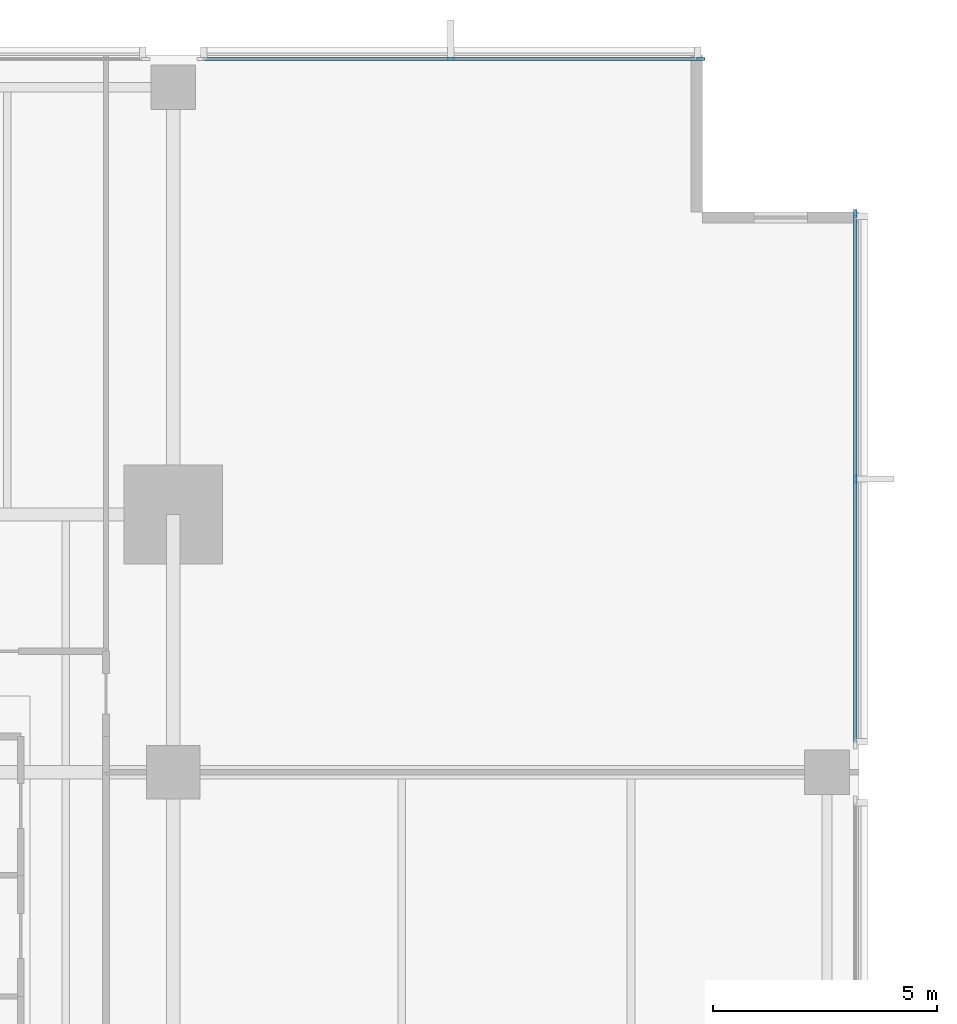
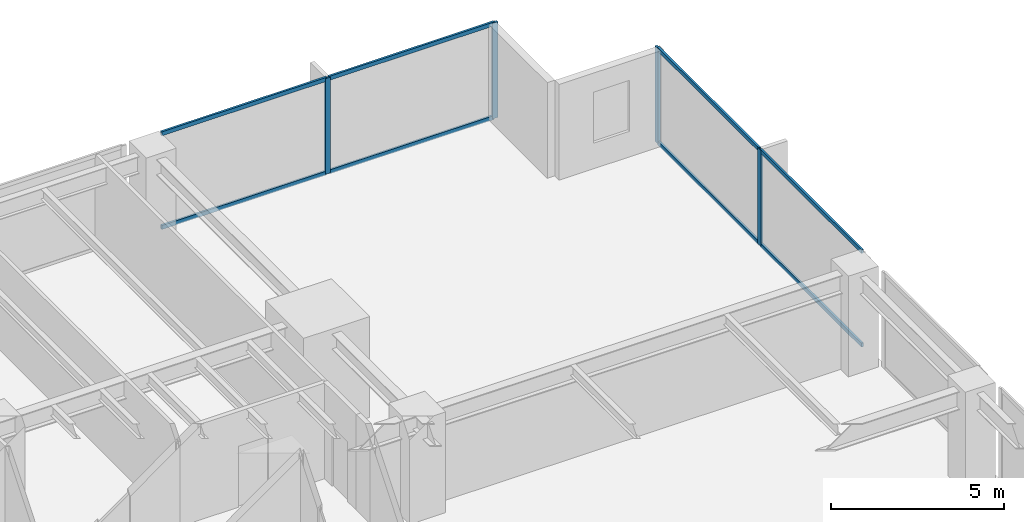
# One storey, part 6 of 15: 12 members, 2 elements without a shape of their own.
"""IFC4 building model written with IfcOpenShell, lengths in metres."""

from ifc_helpers import new_model, si_unit, direction, frame, origin, origin_2d, place, context, subcontext, project, spatial, rectangle, extrude, material, layer, layer_set, material_profile, profile_set, type_object, element, aggregate, save


model = new_model("IFC4")

# Units and contexts
model_context = context("Model", 3, precision=1e-05, world=origin(), true_north=direction((0.0, 1.0)))
body_context = subcontext(model_context, "Body", "Model", "MODEL_VIEW")
ifc_project = project(units=[si_unit("LENGTHUNIT", "METRE"), si_unit("AREAUNIT", "SQUARE_METRE"), si_unit("VOLUMEUNIT", "CUBIC_METRE"), si_unit("PLANEANGLEUNIT", "RADIAN"), si_unit("MASSUNIT", "GRAM", prefix="KILO")], contexts=[model_context])

# Site, building, storey
site_placement = place(None, origin())
site = spatial("IfcSite", under=ifc_project, at=site_placement, CompositionType="ELEMENT")
building_placement = place(site_placement, origin())
building = spatial("IfcBuilding", under=site, at=building_placement, Name="Kinhvarn Gate Tower", CompositionType="ELEMENT")
storey_placement = place(building_placement, frame((0.0, 0.0, 68.199951171875)))
storey = spatial("IfcBuildingStorey", under=building, at=storey_placement, Name="L17", CompositionType="ELEMENT", Elevation=68.199951171875)

# Curtain wall, members
ifc_material = material(Name="Anodised aluminium AW-6063", Category="aluminium")
ifc_layer = layer(ifc_material, 0.179931640625)
ifc_layer_set = layer_set([ifc_layer], Name="Anodised aluminium AW-6063")
curtain_wall_type = type_object("IfcCurtainWallType", Name="CW-SYS-2", PredefinedType="NOTDEFINED", material=ifc_layer_set)
curtain_wall_1_placement = place(storey_placement, origin())
curtain_wall_1 = element("IfcCurtainWall", 1, at=curtain_wall_1_placement, inside=storey, type_object=curtain_wall_type, Name="Curtain Wall CW2 (L17)", PredefinedType="NOTDEFINED")
ifc_material_profile_1 = material_profile(ifc_material, rectangle(XDim=0.070068359375, YDim=0.179931640625, at=origin_2d()), Name="ALU 70x180")
ifc_profile_set_1 = profile_set([ifc_material_profile_1], Name="Anodised aluminium AW-6063")
member_type_1 = type_object("IfcMemberType", Name="CW-MUL-180", PredefinedType="MULLION", material=ifc_profile_set_1)
member_1_placement = place(storey_placement, frame((49.965087890625, 47.909912109375, 0.0), z_axis=(0.0, 0.0, 1.0), x_axis=(0.0, -1.0, 0.0)))
member_1 = element("IfcMember", 2, at=member_1_placement, type_object=member_type_1, Name="CW2 mullion 1", PredefinedType="MULLION", context=body_context, shape_type="SweptSolid", body=[
    extrude(rectangle(XDim=0.070068359375, YDim=0.179931640625, at=origin_2d()), origin(), (0.0, 0.0, 1.0), 3.3701171875),
])
member_2_placement = place(storey_placement, frame((44.389892578125, 47.909912109375, 0.0), z_axis=(0.0, 0.0, 1.0), x_axis=(0.0, -1.0, 0.0)))
member_2 = element("IfcMember", 3, at=member_2_placement, type_object=member_type_1, Name="CW2 mullion 2", PredefinedType="MULLION", context=body_context, shape_type="SweptSolid", body=[
    extrude(rectangle(XDim=0.070068359375, YDim=0.179931640625, at=origin_2d()), origin(), (0.0, 0.0, 1.0), 3.3701171875),
])

curtain_wall_2_placement = place(storey_placement, origin())
curtain_wall_2 = element("IfcCurtainWall", 4, at=curtain_wall_2_placement, inside=storey, type_object=curtain_wall_type, Name="Curtain Wall CW2 (L17)", PredefinedType="NOTDEFINED")
member_3_placement = place(storey_placement, frame((53.409912109375, 38.5400390625, 0.0), z_axis=(0.0, 0.0, 1.0), x_axis=(-1.0, 0.0, 0.0)))
member_3 = element("IfcMember", 5, at=member_3_placement, type_object=member_type_1, Name="CW2 mullion 2", PredefinedType="MULLION", context=body_context, shape_type="SweptSolid", body=[
    extrude(rectangle(XDim=0.070068359375, YDim=0.179931640625, at=origin_2d()), origin(), (0.0, 0.0, 1.0), 3.3701171875),
])
member_4_placement = place(storey_placement, frame((53.409912109375, 44.465087890625, 0.0), z_axis=(0.0, 0.0, 1.0), x_axis=(-1.0, 0.0, 0.0)))
member_4 = element("IfcMember", 6, at=member_4_placement, type_object=member_type_1, Name="CW2 mullion 3", PredefinedType="MULLION", context=body_context, shape_type="SweptSolid", body=[
    extrude(rectangle(XDim=0.070068359375, YDim=0.179931640625, at=origin_2d()), origin(), (0.0, 0.0, 1.0), 3.3701171875),
])

# Member
ifc_material_profile_2 = material_profile(ifc_material, rectangle(XDim=0.070068359375, YDim=0.139892578125, at=origin_2d()), Name="ALU 70x140")
ifc_profile_set_2 = profile_set([ifc_material_profile_2], Name="Anodised aluminium AW-6063")
member_type_2 = type_object("IfcMemberType", Name="CW-TRN-140", PredefinedType="USERDEFINED", material=ifc_profile_set_2)
member_5_placement = place(storey_placement, frame((49.929931640625, 47.909912109375, 0.03515625), z_axis=(-1.0, 0.0, 0.0), x_axis=(0.0, -1.0, 0.0)))
member_5 = element("IfcMember", 7, at=member_5_placement, type_object=member_type_2, Name="CW2 transom 1.1", ObjectType="TRANSOM", PredefinedType="USERDEFINED", context=body_context, shape_type="SweptSolid", body=[
    extrude(rectangle(XDim=0.070068359375, YDim=0.139892578125, at=origin_2d()), origin(), (0.0, 0.0, 1.0), 5.5048828125),
])

member_6_placement = place(storey_placement, frame((49.929931640625, 47.909912109375, 3.3349609375), z_axis=(-1.0, 0.0, 0.0), x_axis=(0.0, -1.0, 0.0)))
member_6 = element("IfcMember", 8, at=member_6_placement, type_object=member_type_2, Name="CW2 transom 1.2", ObjectType="TRANSOM", PredefinedType="USERDEFINED", context=body_context, shape_type="SweptSolid", body=[
    extrude(rectangle(XDim=0.070068359375, YDim=0.139892578125, at=origin_2d()), origin(), (0.0, 0.0, 1.0), 5.5048828125),
])

member_7_placement = place(storey_placement, frame((44.35498046875, 47.909912109375, 0.03515625), z_axis=(-1.0, 0.0, 0.0), x_axis=(0.0, -1.0, 0.0)))
member_7 = element("IfcMember", 9, at=member_7_placement, type_object=member_type_2, Name="CW2 transom 2.1", ObjectType="TRANSOM", PredefinedType="USERDEFINED", context=body_context, shape_type="SweptSolid", body=[
    extrude(rectangle(XDim=0.070068359375, YDim=0.139892578125, at=origin_2d()), origin(), (0.0, 0.0, 1.0), 5.5048828125),
])

member_8_placement = place(storey_placement, frame((44.35498046875, 47.909912109375, 3.3349609375), z_axis=(-1.0, 0.0, 0.0), x_axis=(0.0, -1.0, 0.0)))
member_8 = element("IfcMember", 10, at=member_8_placement, type_object=member_type_2, Name="CW2 transom 2.2", ObjectType="TRANSOM", PredefinedType="USERDEFINED", context=body_context, shape_type="SweptSolid", body=[
    extrude(rectangle(XDim=0.070068359375, YDim=0.139892578125, at=origin_2d()), origin(), (0.0, 0.0, 1.0), 5.5048828125),
])

aggregate(curtain_wall_1, [member_1, member_2, member_5, member_6, member_7, member_8])

member_9_placement = place(storey_placement, frame((53.409912109375, 32.64990234375, 0.03515625), z_axis=(0.0, 1.0, 0.0), x_axis=(-1.0, 0.0, 0.0)))
member_9 = element("IfcMember", 11, at=member_9_placement, type_object=member_type_2, Name="CW2 transom 1.1", ObjectType="TRANSOM", PredefinedType="USERDEFINED", context=body_context, shape_type="SweptSolid", body=[
    extrude(rectangle(XDim=0.070068359375, YDim=0.139892578125, at=origin_2d()), origin(), (0.0, 0.0, 1.0), 5.85498046875),
])

member_10_placement = place(storey_placement, frame((53.409912109375, 32.64990234375, 3.3349609375), z_axis=(0.0, 1.0, 0.0), x_axis=(-1.0, 0.0, 0.0)))
member_10 = element("IfcMember", 12, at=member_10_placement, type_object=member_type_2, Name="CW2 transom 1.2", ObjectType="TRANSOM", PredefinedType="USERDEFINED", context=body_context, shape_type="SweptSolid", body=[
    extrude(rectangle(XDim=0.070068359375, YDim=0.139892578125, at=origin_2d()), origin(), (0.0, 0.0, 1.0), 5.85498046875),
])

member_11_placement = place(storey_placement, frame((53.409912109375, 38.574951171875, 0.03515625), z_axis=(0.0, 1.0, 0.0), x_axis=(-1.0, 0.0, 0.0)))
member_11 = element("IfcMember", 13, at=member_11_placement, type_object=member_type_2, Name="CW2 transom 2.1", ObjectType="TRANSOM", PredefinedType="USERDEFINED", context=body_context, shape_type="SweptSolid", body=[
    extrude(rectangle(XDim=0.070068359375, YDim=0.139892578125, at=origin_2d()), origin(), (0.0, 0.0, 1.0), 5.85498046875),
])

member_12_placement = place(storey_placement, frame((53.409912109375, 38.574951171875, 3.3349609375), z_axis=(0.0, 1.0, 0.0), x_axis=(-1.0, 0.0, 0.0)))
member_12 = element("IfcMember", 14, at=member_12_placement, type_object=member_type_2, Name="CW2 transom 2.2", ObjectType="TRANSOM", PredefinedType="USERDEFINED", context=body_context, shape_type="SweptSolid", body=[
    extrude(rectangle(XDim=0.070068359375, YDim=0.139892578125, at=origin_2d()), origin(), (0.0, 0.0, 1.0), 5.85498046875),
])

aggregate(curtain_wall_2, [member_3, member_4, member_9, member_10, member_11, member_12])

save(model, "model.ifc")
